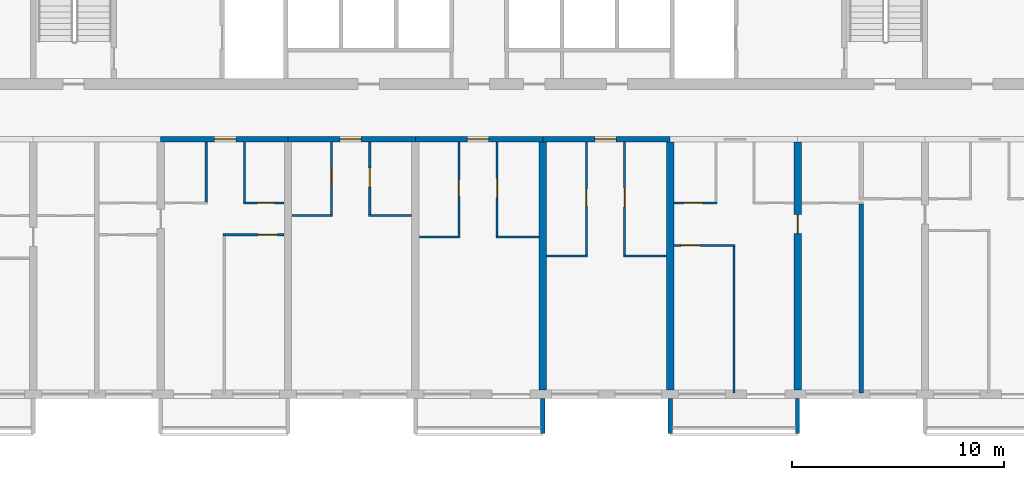
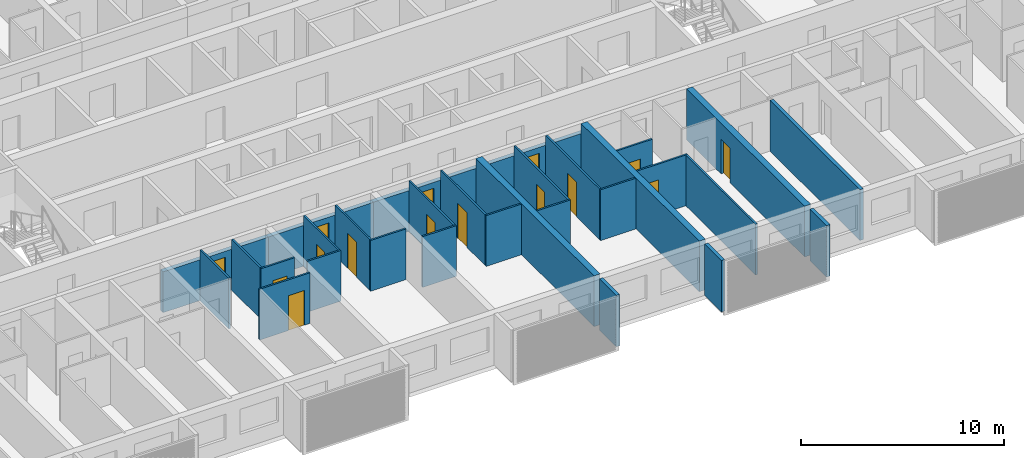
# One storey, part 5 of 31: 30 walls, 15 doors, 15 openings.
"""IFC4 building model written with IfcOpenShell, lengths in metres."""

from ifc_helpers import new_model, si_unit, direction, frame, frame_2d, origin, place, context, subcontext, project, spatial, polyline, rectangle, outline, extrude, source, transform, mapped, material, layer, layer_set, type_object, element, fill, save


model = new_model("IFC4")

# Units and contexts
model_context = context("Model", 3, precision=1e-05, world=origin(), true_north=direction((0.0, 1.0)))
body_context = subcontext(model_context, "Body", "Model", "MODEL_VIEW")
ifc_project = project(units=[si_unit("LENGTHUNIT", "METRE"), si_unit("AREAUNIT", "SQUARE_METRE"), si_unit("VOLUMEUNIT", "CUBIC_METRE"), si_unit("PLANEANGLEUNIT", "RADIAN"), si_unit("MASSUNIT", "GRAM", prefix="KILO")], contexts=[model_context])

# Site, building, storey
site_placement = place(None, origin())
site = spatial("IfcSite", under=ifc_project, at=site_placement, CompositionType="ELEMENT")
building_placement = place(site_placement, origin())
building = spatial("IfcBuilding", under=site, at=building_placement, Name="Poui Terraces", CompositionType="ELEMENT")
storey_placement = place(building_placement, frame((0.0, 0.0, 82.800048828125)))
storey = spatial("IfcBuildingStorey", under=building, at=storey_placement, Name="L22", CompositionType="ELEMENT", Elevation=82.800048828125)

# Wall, opening, door
ifc_material_1 = material(Name="Concrete 65 MPa", Category="concrete")
ifc_layer_1 = layer(ifc_material_1, 0.25)
ifc_layer_set_1 = layer_set([ifc_layer_1], Name="Concrete 65 MPa")
wall_type_1 = type_object("IfcWallType", Name="CORRIDOR WALL 250 65MPa", PredefinedType="SHEAR", material=ifc_layer_set_1)
wall_1_placement = place(storey_placement, frame((36.0, 12.0, 0.0), z_axis=(0.0, 0.0, 1.0), x_axis=(1.0, 0.0, 0.0)))
wall_1 = element("IfcWall", 1, at=wall_1_placement, inside=storey, type_object=wall_type_1, Name="CORRIDOR WALL LINE B BAY 6", PredefinedType="SHEAR", context=body_context, shape_type="SweptSolid", body=[
    extrude(rectangle(XDim=6.0, YDim=0.25, at=frame_2d((3.0, 0.0))), origin(), (0.0, 0.0, 1.0), 2.4599609375),
])
opening_1_placement = place(wall_1_placement, frame((2.550048828125, 0.0, 0.0)))
opening_1 = element("IfcOpeningElement", 2, at=opening_1_placement, cuts=wall_1, Name="Opening FD30S", PredefinedType="OPENING", context=body_context, shape_type="SweptSolid", body=[
    extrude(rectangle(XDim=1.0, YDim=2.10009765625, at=frame_2d((0.5, 1.050048828125))), frame((0.0, 0.135009765625, 0.0), z_axis=(0.0, -1.0, 0.0), x_axis=(1.0, 0.0, 0.0)), (0.0, 0.0, 1.0), 0.27001953125),
])
ifc_material_2 = material(Name="Steel fire door", Category="steel")
door_type_1 = type_object("IfcDoorType", Name="FLAT ENTRANCE DOOR 1000 X 2100", OperationType="NOTDEFINED", PredefinedType="DOOR", material=ifc_material_2)
door_1_placement = place(opening_1_placement, frame((1.0, 0.0, 0.0), z_axis=(0.0, 0.0, 1.0), x_axis=(-1.0, 0.0, 0.0)))
door_1 = element("IfcDoor", 3, at=door_1_placement, inside=storey, type_object=door_type_1, Name="FLAT ENTRANCE DOOR 103", OperationType="SINGLE_SWING_LEFT", OverallHeight=2.10009765625, OverallWidth=1.0, PredefinedType="DOOR", context=body_context, shape_type="SweptSolid", body=[
    extrude(rectangle(XDim=1.0, YDim=2.10009765625, at=frame_2d((0.5, 1.050048828125))), frame((0.0, 0.02490234375, 0.0), z_axis=(0.0, -1.0, 0.0), x_axis=(1.0, 0.0, 0.0)), (0.0, 0.0, 1.0), 0.050048828125),
])
fill(opening_1, door_1)

wall_2_placement = place(storey_placement, frame((42.0, 12.0, 0.0), z_axis=(0.0, 0.0, 1.0), x_axis=(1.0, 0.0, 0.0)))
wall_2 = element("IfcWall", 4, at=wall_2_placement, inside=storey, type_object=wall_type_1, Name="CORRIDOR WALL LINE B BAY 7", PredefinedType="SHEAR", context=body_context, shape_type="SweptSolid", body=[
    extrude(rectangle(XDim=6.0, YDim=0.25, at=frame_2d((3.0, 0.0))), origin(), (0.0, 0.0, 1.0), 2.4599609375),
])
opening_2_placement = place(wall_2_placement, frame((2.449951171875, 0.0, 0.0)))
opening_2 = element("IfcOpeningElement", 5, at=opening_2_placement, cuts=wall_2, Name="Opening FD30S", PredefinedType="OPENING", context=body_context, shape_type="SweptSolid", body=[
    extrude(rectangle(XDim=1.0, YDim=2.10009765625, at=frame_2d((0.5, 1.050048828125))), frame((0.0, 0.135009765625, 0.0), z_axis=(0.0, -1.0, 0.0), x_axis=(1.0, 0.0, 0.0)), (0.0, 0.0, 1.0), 0.27001953125),
])
door_2_placement = place(opening_2_placement, frame((1.0, 0.0, 0.0), z_axis=(0.0, 0.0, 1.0), x_axis=(-1.0, 0.0, 0.0)))
door_2 = element("IfcDoor", 6, at=door_2_placement, inside=storey, type_object=door_type_1, Name="FLAT ENTRANCE DOOR 107", OperationType="SINGLE_SWING_RIGHT", OverallHeight=2.10009765625, OverallWidth=1.0, PredefinedType="DOOR", context=body_context, shape_type="SweptSolid", body=[
    extrude(rectangle(XDim=1.0, YDim=2.10009765625, at=frame_2d((0.5, 1.050048828125))), frame((0.0, 0.02490234375, 0.0), z_axis=(0.0, -1.0, 0.0), x_axis=(1.0, 0.0, 0.0)), (0.0, 0.0, 1.0), 0.050048828125),
])
fill(opening_2, door_2)

wall_3_placement = place(storey_placement, frame((48.0, 12.0, 0.0), z_axis=(0.0, 0.0, 1.0), x_axis=(1.0, 0.0, 0.0)))
wall_3 = element("IfcWall", 7, at=wall_3_placement, inside=storey, type_object=wall_type_1, Name="CORRIDOR WALL LINE B BAY 8", PredefinedType="SHEAR", context=body_context, shape_type="SweptSolid", body=[
    extrude(rectangle(XDim=6.0, YDim=0.25, at=frame_2d((3.0, 0.0))), origin(), (0.0, 0.0, 1.0), 2.4599609375),
])
opening_3_placement = place(wall_3_placement, frame((2.449951171875, 0.0, 0.0)))
opening_3 = element("IfcOpeningElement", 8, at=opening_3_placement, cuts=wall_3, Name="Opening FD30S", PredefinedType="OPENING", context=body_context, shape_type="SweptSolid", body=[
    extrude(rectangle(XDim=1.0, YDim=2.10009765625, at=frame_2d((0.5, 1.050048828125))), frame((0.0, 0.135009765625, 0.0), z_axis=(0.0, -1.0, 0.0), x_axis=(1.0, 0.0, 0.0)), (0.0, 0.0, 1.0), 0.27001953125),
])
door_3_placement = place(opening_3_placement, frame((1.0, 0.0, 0.0), z_axis=(0.0, 0.0, 1.0), x_axis=(-1.0, 0.0, 0.0)))
door_3 = element("IfcDoor", 9, at=door_3_placement, inside=storey, type_object=door_type_1, Name="FLAT ENTRANCE DOOR 110", OperationType="SINGLE_SWING_RIGHT", OverallHeight=2.10009765625, OverallWidth=1.0, PredefinedType="DOOR", context=body_context, shape_type="SweptSolid", body=[
    extrude(rectangle(XDim=1.0, YDim=2.10009765625, at=frame_2d((0.5, 1.050048828125))), frame((0.0, 0.02490234375, 0.0), z_axis=(0.0, -1.0, 0.0), x_axis=(1.0, 0.0, 0.0)), (0.0, 0.0, 1.0), 0.050048828125),
])
fill(opening_3, door_3)

wall_4_placement = place(storey_placement, frame((54.0, 12.0, 0.0), z_axis=(0.0, 0.0, 1.0), x_axis=(1.0, 0.0, 0.0)))
wall_4 = element("IfcWall", 10, at=wall_4_placement, inside=storey, type_object=wall_type_1, Name="CORRIDOR WALL LINE B BAY 9", PredefinedType="SHEAR", context=body_context, shape_type="SweptSolid", body=[
    extrude(rectangle(XDim=6.0, YDim=0.25, at=frame_2d((3.0, 0.0))), origin(), (0.0, 0.0, 1.0), 2.4599609375),
])
opening_4_placement = place(wall_4_placement, frame((2.449951171875, 0.0, 0.0)))
opening_4 = element("IfcOpeningElement", 11, at=opening_4_placement, cuts=wall_4, Name="Opening FD30S", PredefinedType="OPENING", context=body_context, shape_type="SweptSolid", body=[
    extrude(rectangle(XDim=1.0, YDim=2.10009765625, at=frame_2d((0.5, 1.050048828125))), frame((0.0, 0.135009765625, 0.0), z_axis=(0.0, -1.0, 0.0), x_axis=(1.0, 0.0, 0.0)), (0.0, 0.0, 1.0), 0.27001953125),
])
door_4_placement = place(opening_4_placement, frame((1.0, 0.0, 0.0), z_axis=(0.0, 0.0, 1.0), x_axis=(-1.0, 0.0, 0.0)))
door_4 = element("IfcDoor", 12, at=door_4_placement, inside=storey, type_object=door_type_1, Name="FLAT ENTRANCE DOOR 113", OperationType="SINGLE_SWING_RIGHT", OverallHeight=2.10009765625, OverallWidth=1.0, PredefinedType="DOOR", context=body_context, shape_type="SweptSolid", body=[
    extrude(rectangle(XDim=1.0, YDim=2.10009765625, at=frame_2d((0.5, 1.050048828125))), frame((0.0, 0.02490234375, 0.0), z_axis=(0.0, -1.0, 0.0), x_axis=(1.0, 0.0, 0.0)), (0.0, 0.0, 1.0), 0.050048828125),
])
fill(opening_4, door_4)

# Walls
ifc_layer_2 = layer(ifc_material_1, 0.35009765625)
ifc_layer_set_2 = layer_set([ifc_layer_2], Name="Concrete 65 MPa")
wall_type_2 = type_object("IfcWallType", Name="CROSS WALL 350 65MPa", PredefinedType="SHEAR", material=ifc_layer_set_2)
for number, where, z_axis, x_axis, name in (
    (13, (54.0, 0.199951171875, 0.0), (0.0, 0.0, 1.0), (0.0, 1.0, 0.0), "CROSS WALL LINE 10 SOUTH"),
    (14, (60.0, 0.199951171875, 0.0), (0.0, 0.0, 1.0), (0.0, 1.0, 0.0), "CROSS WALL LINE 11 SOUTH"),
):
    element("IfcWall", number, at=place(storey_placement, frame(where, z_axis=z_axis, x_axis=x_axis)), inside=storey, type_object=wall_type_2, Name=name, PredefinedType="SHEAR", context=body_context, shape_type="SweptSolid", body=[
        extrude(rectangle(XDim=11.675048828125, YDim=0.35009765625, at=frame_2d((5.83740234375, 0.0))), origin(), (0.0, 0.0, 1.0), 3.06005859375),
    ])

# Wall, opening, door
wall_5_placement = place(storey_placement, frame((66.0, 0.199951171875, 0.0), z_axis=(0.0, 0.0, 1.0), x_axis=(0.0, 1.0, 0.0)))
wall_5 = element("IfcWall", 15, at=wall_5_placement, inside=storey, type_object=wall_type_2, Name="CROSS WALL LINE 12 SOUTH", PredefinedType="SHEAR", context=body_context, shape_type="SweptSolid", body=[
    extrude(rectangle(XDim=11.675048828125, YDim=0.35009765625, at=frame_2d((5.83740234375, 0.0))), origin(), (0.0, 0.0, 1.0), 3.06005859375),
])
opening_5_placement = place(wall_5_placement, frame((7.35009765625, 0.0, 0.0)))
opening_5 = element("IfcOpeningElement", 16, at=opening_5_placement, cuts=wall_5, Name="Opening D90", PredefinedType="OPENING", context=body_context, shape_type="SweptSolid", body=[
    extrude(rectangle(XDim=0.89990234375, YDim=2.10009765625, at=frame_2d((0.449951171875, 1.050048828125))), frame((0.0, 0.18505859375, 0.0), z_axis=(0.0, -1.0, 0.0), x_axis=(1.0, 0.0, 0.0)), (0.0, 0.0, 1.0), 0.3701171875),
])
ifc_material_3 = material(Name="Solid core timber door", Category="wood")
door_type_2 = type_object("IfcDoorType", Name="INTERNAL DOOR 900 X 2100", OperationType="NOTDEFINED", PredefinedType="DOOR", material=ifc_material_3)
door_5_placement = place(opening_5_placement, frame((0.89990234375, 0.0, 0.0), z_axis=(0.0, 0.0, 1.0), x_axis=(-1.0, 0.0, 0.0)))
door_5 = element("IfcDoor", 17, at=door_5_placement, inside=storey, type_object=door_type_2, Name="INTERNAL DOOR 120", OperationType="SINGLE_SWING_LEFT", OverallHeight=2.10009765625, OverallWidth=0.89990234375, PredefinedType="DOOR", context=body_context, shape_type="SweptSolid", body=[
    extrude(rectangle(XDim=0.89990234375, YDim=2.10009765625, at=frame_2d((0.449951171875, 1.050048828125))), frame((0.0, 0.02490234375, 0.0), z_axis=(0.0, -1.0, 0.0), x_axis=(1.0, 0.0, 0.0)), (0.0, 0.0, 1.0), 0.050048828125),
])
fill(opening_5, door_5)

# Walls
ifc_material_4 = material(Name="Plasterboard partition")
ifc_layer_3 = layer(ifc_material_4, 0.10009765625)
ifc_layer_set_3 = layer_set([ifc_layer_3], Name="Plasterboard partition")
wall_type_3 = type_object("IfcWallType", Name="FLAT PARTITION 100", PredefinedType="PARTITIONING", material=ifc_layer_set_3)
wall_6_placement = place(storey_placement, frame((54.18505859375, 6.5, 0.0), z_axis=(0.0, 0.0, 1.0), x_axis=(1.0, 0.0, 0.0)))
element("IfcWall", 18, at=wall_6_placement, inside=storey, type_object=wall_type_3, Name="FLAT PARTITION 100", PredefinedType="PARTITIONING", context=body_context, shape_type="SweptSolid", body=[
    extrude(rectangle(XDim=1.9150390625, YDim=0.10009765625, at=frame_2d((0.95751953125, 0.0))), origin(), (0.0, 0.0, 1.0), 3.06005859375),
])
wall_7_placement = place(storey_placement, frame((57.800048828125, 6.5, 0.0), z_axis=(0.0, 0.0, 1.0), x_axis=(1.0, 0.0, 0.0)))
element("IfcWall", 19, at=wall_7_placement, inside=storey, type_object=wall_type_3, Name="FLAT PARTITION 100", PredefinedType="PARTITIONING", context=body_context, shape_type="SweptSolid", body=[
    extrude(rectangle(XDim=2.014892578125, YDim=0.10009765625, at=frame_2d((1.00732421875, 0.0))), origin(), (0.0, 0.0, 1.0), 3.06005859375),
])

# Wall, opening, door
wall_8_placement = place(storey_placement, frame((60.18505859375, 7.0, 0.0), z_axis=(0.0, 0.0, 1.0), x_axis=(1.0, 0.0, 0.0)))
wall_8 = element("IfcWall", 20, at=wall_8_placement, inside=storey, type_object=wall_type_3, Name="FLAT PARTITION 100", PredefinedType="PARTITIONING", context=body_context, shape_type="SweptSolid", body=[
    extrude(rectangle(XDim=2.864990234375, YDim=0.10009765625, at=frame_2d((1.4326171875, 0.0))), origin(), (0.0, 0.0, 1.0), 3.06005859375),
])
opening_6_placement = place(wall_8_placement, frame((0.31494140625, 0.0, 0.0)))
opening_6 = element("IfcOpeningElement", 21, at=opening_6_placement, cuts=wall_8, Name="Opening D90", PredefinedType="OPENING", context=body_context, shape_type="SweptSolid", body=[
    extrude(rectangle(XDim=0.89990234375, YDim=2.10009765625, at=frame_2d((0.449951171875, 1.050048828125))), frame((0.0, 0.06005859375, 0.0), z_axis=(0.0, -1.0, 0.0), x_axis=(1.0, 0.0, 0.0)), (0.0, 0.0, 1.0), 0.1201171875),
])
door_6_placement = place(opening_6_placement, origin())
door_6 = element("IfcDoor", 22, at=door_6_placement, inside=storey, type_object=door_type_2, Name="INTERNAL DOOR 116", OperationType="SINGLE_SWING_RIGHT", OverallHeight=2.10009765625, OverallWidth=0.89990234375, PredefinedType="DOOR", context=body_context, shape_type="SweptSolid", body=[
    extrude(rectangle(XDim=0.89990234375, YDim=2.10009765625, at=frame_2d((0.449951171875, 1.050048828125))), frame((0.0, 0.02490234375, 0.0), z_axis=(0.0, -1.0, 0.0), x_axis=(1.0, 0.0, 0.0)), (0.0, 0.0, 1.0), 0.050048828125),
])
fill(opening_6, door_6)

# Walls
wall_9_placement = place(storey_placement, frame((48.18505859375, 7.39990234375, 0.0), z_axis=(0.0, 0.0, 1.0), x_axis=(1.0, 0.0, 0.0)))
element("IfcWall", 23, at=wall_9_placement, inside=storey, type_object=wall_type_3, Name="FLAT PARTITION 100", PredefinedType="PARTITIONING", context=body_context, shape_type="SweptSolid", body=[
    extrude(rectangle(XDim=1.9150390625, YDim=0.10009765625, at=frame_2d((0.95751953125, 0.0))), origin(), (0.0, 0.0, 1.0), 3.06005859375),
])
wall_10_placement = place(storey_placement, frame((51.800048828125, 7.39990234375, 0.0), z_axis=(0.0, 0.0, 1.0), x_axis=(1.0, 0.0, 0.0)))
element("IfcWall", 24, at=wall_10_placement, inside=storey, type_object=wall_type_3, Name="FLAT PARTITION 100", PredefinedType="PARTITIONING", context=body_context, shape_type="SweptSolid", body=[
    extrude(rectangle(XDim=2.014892578125, YDim=0.10009765625, at=frame_2d((1.00732421875, 0.0))), origin(), (0.0, 0.0, 1.0), 3.06005859375),
])

# Wall, opening, door
wall_11_placement = place(storey_placement, frame((38.949951171875, 7.5, 0.0), z_axis=(0.0, 0.0, 1.0), x_axis=(1.0, 0.0, 0.0)))
wall_11 = element("IfcWall", 25, at=wall_11_placement, inside=storey, type_object=wall_type_3, Name="FLAT PARTITION 100", PredefinedType="PARTITIONING", context=body_context, shape_type="SweptSolid", body=[
    extrude(rectangle(XDim=2.864990234375, YDim=0.10009765625, at=frame_2d((1.4326171875, 0.0))), origin(), (0.0, 0.0, 1.0), 3.06005859375),
])
opening_7_placement = place(wall_11_placement, frame((1.64990234375, 0.0, 0.0)))
opening_7 = element("IfcOpeningElement", 26, at=opening_7_placement, cuts=wall_11, Name="Opening D90", PredefinedType="OPENING", context=body_context, shape_type="SweptSolid", body=[
    extrude(rectangle(XDim=0.89990234375, YDim=2.10009765625, at=frame_2d((0.449951171875, 1.050048828125))), frame((0.0, 0.06005859375, 0.0), z_axis=(0.0, -1.0, 0.0), x_axis=(1.0, 0.0, 0.0)), (0.0, 0.0, 1.0), 0.1201171875),
])
door_7_placement = place(opening_7_placement, origin())
door_7 = element("IfcDoor", 27, at=door_7_placement, inside=storey, type_object=door_type_2, Name="INTERNAL DOOR 105", OperationType="SINGLE_SWING_LEFT", OverallHeight=2.10009765625, OverallWidth=0.89990234375, PredefinedType="DOOR", context=body_context, shape_type="SweptSolid", body=[
    extrude(rectangle(XDim=0.89990234375, YDim=2.10009765625, at=frame_2d((0.449951171875, 1.050048828125))), frame((0.0, 0.02490234375, 0.0), z_axis=(0.0, -1.0, 0.0), x_axis=(1.0, 0.0, 0.0)), (0.0, 0.0, 1.0), 0.050048828125),
])
fill(opening_7, door_7)

# Walls
wall_12_placement = place(storey_placement, frame((42.18505859375, 8.39990234375, 0.0), z_axis=(0.0, 0.0, 1.0), x_axis=(1.0, 0.0, 0.0)))
element("IfcWall", 28, at=wall_12_placement, inside=storey, type_object=wall_type_3, Name="FLAT PARTITION 100", PredefinedType="PARTITIONING", context=body_context, shape_type="SweptSolid", body=[
    extrude(rectangle(XDim=1.9150390625, YDim=0.10009765625, at=frame_2d((0.95751953125, 0.0))), origin(), (0.0, 0.0, 1.0), 3.06005859375),
])
wall_13_placement = place(storey_placement, frame((45.800048828125, 8.39990234375, 0.0), z_axis=(0.0, 0.0, 1.0), x_axis=(1.0, 0.0, 0.0)))
element("IfcWall", 29, at=wall_13_placement, inside=storey, type_object=wall_type_3, Name="FLAT PARTITION 100", PredefinedType="PARTITIONING", context=body_context, shape_type="SweptSolid", body=[
    extrude(rectangle(XDim=2.014892578125, YDim=0.10009765625, at=frame_2d((1.00732421875, 0.0))), origin(), (0.0, 0.0, 1.0), 3.06005859375),
])

# Wall, opening, door
wall_14_placement = place(storey_placement, frame((39.89990234375, 9.0, 0.0), z_axis=(0.0, 0.0, 1.0), x_axis=(1.0, 0.0, 0.0)))
wall_14 = element("IfcWall", 30, at=wall_14_placement, inside=storey, type_object=wall_type_3, Name="FLAT PARTITION 100", PredefinedType="PARTITIONING", context=body_context, shape_type="SweptSolid", body=[
    extrude(rectangle(XDim=1.9150390625, YDim=0.10009765625, at=frame_2d((0.95751953125, 0.0))), origin(), (0.0, 0.0, 1.0), 3.06005859375),
])
opening_8_placement = place(wall_14_placement, frame((0.675048828125, 0.0, 0.0)))
opening_8 = element("IfcOpeningElement", 31, at=opening_8_placement, cuts=wall_14, Name="Opening D80", PredefinedType="OPENING", context=body_context, shape_type="SweptSolid", body=[
    extrude(rectangle(XDim=0.800048828125, YDim=2.10009765625, at=frame_2d((0.39990234375, 1.050048828125))), frame((0.0, 0.06005859375, 0.0), z_axis=(0.0, -1.0, 0.0), x_axis=(1.0, 0.0, 0.0)), (0.0, 0.0, 1.0), 0.1201171875),
])
door_type_3 = type_object("IfcDoorType", Name="BATHROOM, LAUNDRY AND STORE DOOR 800 X 2100", OperationType="NOTDEFINED", PredefinedType="DOOR", material=ifc_material_3)
door_8_placement = place(opening_8_placement, origin())
door_8 = element("IfcDoor", 32, at=door_8_placement, inside=storey, type_object=door_type_3, Name="BATHROOM, LAUNDRY AND STORE DOOR 104", OperationType="SINGLE_SWING_RIGHT", OverallHeight=2.10009765625, OverallWidth=0.800048828125, PredefinedType="DOOR", context=body_context, shape_type="SweptSolid", body=[
    extrude(rectangle(XDim=0.800048828125, YDim=2.10009765625, at=frame_2d((0.39990234375, 1.050048828125))), frame((0.0, 0.02490234375, 0.0), z_axis=(0.0, -1.0, 0.0), x_axis=(1.0, 0.0, 0.0)), (0.0, 0.0, 1.0), 0.050048828125),
])
fill(opening_8, door_8)

wall_15_placement = place(storey_placement, frame((60.18505859375, 9.0, 0.0), z_axis=(0.0, 0.0, 1.0), x_axis=(1.0, 0.0, 0.0)))
wall_15 = element("IfcWall", 33, at=wall_15_placement, inside=storey, type_object=wall_type_3, Name="FLAT PARTITION 100", PredefinedType="PARTITIONING", context=body_context, shape_type="SweptSolid", body=[
    extrude(rectangle(XDim=2.014892578125, YDim=0.10009765625, at=frame_2d((1.00732421875, 0.0))), origin(), (0.0, 0.0, 1.0), 3.06005859375),
])
opening_9_placement = place(wall_15_placement, frame((0.43994140625, 0.0, 0.0)))
opening_9 = element("IfcOpeningElement", 34, at=opening_9_placement, cuts=wall_15, Name="Opening D90", PredefinedType="OPENING", context=body_context, shape_type="SweptSolid", body=[
    extrude(rectangle(XDim=0.89990234375, YDim=2.10009765625, at=frame_2d((0.449951171875, 1.050048828125))), frame((0.0, 0.06005859375, 0.0), z_axis=(0.0, -1.0, 0.0), x_axis=(1.0, 0.0, 0.0)), (0.0, 0.0, 1.0), 0.1201171875),
])
door_9_placement = place(opening_9_placement, origin())
door_9 = element("IfcDoor", 35, at=door_9_placement, inside=storey, type_object=door_type_2, Name="INTERNAL DOOR 117", OperationType="SINGLE_SWING_LEFT", OverallHeight=2.10009765625, OverallWidth=0.89990234375, PredefinedType="DOOR", context=body_context, shape_type="SweptSolid", body=[
    extrude(rectangle(XDim=0.89990234375, YDim=2.10009765625, at=frame_2d((0.449951171875, 1.050048828125))), frame((0.0, 0.02490234375, 0.0), z_axis=(0.0, -1.0, 0.0), x_axis=(1.0, 0.0, 0.0)), (0.0, 0.0, 1.0), 0.050048828125),
])
fill(opening_9, door_9)

# Walls
for number, where, z_axis, x_axis, name in (
    (36, (38.14990234375, 9.050048828125, 0.0), (0.0, 0.0, 1.0), (0.0, 1.0, 0.0), "FLAT PARTITION 100"),
    (37, (39.949951171875, 9.050048828125, 0.0), (0.0, 0.0, 1.0), (0.0, 1.0, 0.0), "FLAT PARTITION 100"),
):
    element("IfcWall", number, at=place(storey_placement, frame(where, z_axis=z_axis, x_axis=x_axis)), inside=storey, type_object=wall_type_3, Name=name, PredefinedType="PARTITIONING", context=body_context, shape_type="SweptSolid", body=[
        extrude(rectangle(XDim=2.81494140625, YDim=0.10009765625, at=frame_2d((1.407470703125, 0.0))), origin(), (0.0, 0.0, 1.0), 3.06005859375),
    ])

# Wall, opening, door
wall_16_placement = place(storey_placement, frame((44.050048828125, 8.449951171875, 0.0), z_axis=(0.0, 0.0, 1.0), x_axis=(0.0, 1.0, 0.0)))
wall_16 = element("IfcWall", 38, at=wall_16_placement, inside=storey, type_object=wall_type_3, Name="FLAT PARTITION 100", PredefinedType="PARTITIONING", context=body_context, shape_type="SweptSolid", body=[
    extrude(rectangle(XDim=3.4150390625, YDim=0.10009765625, at=frame_2d((1.70751953125, 0.0))), origin(), (0.0, 0.0, 1.0), 3.06005859375),
])
opening_10_placement = place(wall_16_placement, frame((1.35009765625, 0.0, 0.0)))
opening_10 = element("IfcOpeningElement", 39, at=opening_10_placement, cuts=wall_16, Name="Opening D80", PredefinedType="OPENING", context=body_context, shape_type="SweptSolid", body=[
    extrude(rectangle(XDim=0.800048828125, YDim=2.10009765625, at=frame_2d((0.39990234375, 1.050048828125))), frame((0.0, 0.06005859375, 0.0), z_axis=(0.0, -1.0, 0.0), x_axis=(1.0, 0.0, 0.0)), (0.0, 0.0, 1.0), 0.1201171875),
])
door_10_placement = place(opening_10_placement, origin())
door_10 = element("IfcDoor", 40, at=door_10_placement, inside=storey, type_object=door_type_3, Name="BATHROOM, LAUNDRY AND STORE DOOR 106", OperationType="SINGLE_SWING_LEFT", OverallHeight=2.10009765625, OverallWidth=0.800048828125, PredefinedType="DOOR", context=body_context, shape_type="SweptSolid", body=[
    extrude(rectangle(XDim=0.800048828125, YDim=2.10009765625, at=frame_2d((0.39990234375, 1.050048828125))), frame((0.0, 0.02490234375, 0.0), z_axis=(0.0, -1.0, 0.0), x_axis=(1.0, 0.0, 0.0)), (0.0, 0.0, 1.0), 0.050048828125),
])
fill(opening_10, door_10)

wall_17_placement = place(storey_placement, frame((45.85009765625, 8.449951171875, 0.0), z_axis=(0.0, 0.0, 1.0), x_axis=(0.0, 1.0, 0.0)))
wall_17 = element("IfcWall", 41, at=wall_17_placement, inside=storey, type_object=wall_type_3, Name="FLAT PARTITION 100", PredefinedType="PARTITIONING", context=body_context, shape_type="SweptSolid", body=[
    extrude(rectangle(XDim=3.4150390625, YDim=0.10009765625, at=frame_2d((1.70751953125, 0.0))), origin(), (0.0, 0.0, 1.0), 3.06005859375),
])
opening_11_placement = place(wall_17_placement, frame((1.300048828125, 0.0, 0.0)))
opening_11 = element("IfcOpeningElement", 42, at=opening_11_placement, cuts=wall_17, Name="Opening D90", PredefinedType="OPENING", context=body_context, shape_type="SweptSolid", body=[
    extrude(rectangle(XDim=0.89990234375, YDim=2.10009765625, at=frame_2d((0.449951171875, 1.050048828125))), frame((0.0, 0.06005859375, 0.0), z_axis=(0.0, -1.0, 0.0), x_axis=(1.0, 0.0, 0.0)), (0.0, 0.0, 1.0), 0.1201171875),
])
door_11_placement = place(opening_11_placement, frame((0.89990234375, 0.0, 0.0), z_axis=(0.0, 0.0, 1.0), x_axis=(-1.0, 0.0, 0.0)))
door_11 = element("IfcDoor", 43, at=door_11_placement, inside=storey, type_object=door_type_2, Name="INTERNAL DOOR 108", OperationType="SINGLE_SWING_LEFT", OverallHeight=2.10009765625, OverallWidth=0.89990234375, PredefinedType="DOOR", context=body_context, shape_type="SweptSolid", body=[
    extrude(rectangle(XDim=0.89990234375, YDim=2.10009765625, at=frame_2d((0.449951171875, 1.050048828125))), frame((0.0, 0.02490234375, 0.0), z_axis=(0.0, -1.0, 0.0), x_axis=(1.0, 0.0, 0.0)), (0.0, 0.0, 1.0), 0.050048828125),
])
fill(opening_11, door_11)

wall_18_placement = place(storey_placement, frame((50.050048828125, 7.449951171875, 0.0), z_axis=(0.0, 0.0, 1.0), x_axis=(0.0, 1.0, 0.0)))
wall_18 = element("IfcWall", 44, at=wall_18_placement, inside=storey, type_object=wall_type_3, Name="FLAT PARTITION 100", PredefinedType="PARTITIONING", context=body_context, shape_type="SweptSolid", body=[
    extrude(rectangle(XDim=4.4150390625, YDim=0.10009765625, at=frame_2d((2.20751953125, 0.0))), origin(), (0.0, 0.0, 1.0), 3.06005859375),
])
opening_12_placement = place(wall_18_placement, frame((1.85009765625, 0.0, 0.0)))
opening_12 = element("IfcOpeningElement", 45, at=opening_12_placement, cuts=wall_18, Name="Opening D80", PredefinedType="OPENING", context=body_context, shape_type="SweptSolid", body=[
    extrude(rectangle(XDim=0.800048828125, YDim=2.10009765625, at=frame_2d((0.39990234375, 1.050048828125))), frame((0.0, 0.06005859375, 0.0), z_axis=(0.0, -1.0, 0.0), x_axis=(1.0, 0.0, 0.0)), (0.0, 0.0, 1.0), 0.1201171875),
])
door_12_placement = place(opening_12_placement, origin())
door_12 = element("IfcDoor", 46, at=door_12_placement, inside=storey, type_object=door_type_3, Name="BATHROOM, LAUNDRY AND STORE DOOR 109", OperationType="SINGLE_SWING_RIGHT", OverallHeight=2.10009765625, OverallWidth=0.800048828125, PredefinedType="DOOR", context=body_context, shape_type="SweptSolid", body=[
    extrude(rectangle(XDim=0.800048828125, YDim=2.10009765625, at=frame_2d((0.39990234375, 1.050048828125))), frame((0.0, 0.02490234375, 0.0), z_axis=(0.0, -1.0, 0.0), x_axis=(1.0, 0.0, 0.0)), (0.0, 0.0, 1.0), 0.050048828125),
])
fill(opening_12, door_12)

wall_19_placement = place(storey_placement, frame((51.85009765625, 7.449951171875, 0.0), z_axis=(0.0, 0.0, 1.0), x_axis=(0.0, 1.0, 0.0)))
wall_19 = element("IfcWall", 47, at=wall_19_placement, inside=storey, type_object=wall_type_3, Name="FLAT PARTITION 100", PredefinedType="PARTITIONING", context=body_context, shape_type="SweptSolid", body=[
    extrude(rectangle(XDim=4.4150390625, YDim=0.10009765625, at=frame_2d((2.20751953125, 0.0))), origin(), (0.0, 0.0, 1.0), 3.06005859375),
])
opening_13_placement = place(wall_19_placement, frame((1.800048828125, 0.0, 0.0)))
opening_13 = element("IfcOpeningElement", 48, at=opening_13_placement, cuts=wall_19, Name="Opening D90", PredefinedType="OPENING", context=body_context, shape_type="SweptSolid", body=[
    extrude(rectangle(XDim=0.89990234375, YDim=2.10009765625, at=frame_2d((0.449951171875, 1.050048828125))), frame((0.0, 0.06005859375, 0.0), z_axis=(0.0, -1.0, 0.0), x_axis=(1.0, 0.0, 0.0)), (0.0, 0.0, 1.0), 0.1201171875),
])
door_13_placement = place(opening_13_placement, frame((0.89990234375, 0.0, 0.0), z_axis=(0.0, 0.0, 1.0), x_axis=(-1.0, 0.0, 0.0)))
door_13 = element("IfcDoor", 49, at=door_13_placement, inside=storey, type_object=door_type_2, Name="INTERNAL DOOR 111", OperationType="SINGLE_SWING_RIGHT", OverallHeight=2.10009765625, OverallWidth=0.89990234375, PredefinedType="DOOR", context=body_context, shape_type="SweptSolid", body=[
    extrude(rectangle(XDim=0.89990234375, YDim=2.10009765625, at=frame_2d((0.449951171875, 1.050048828125))), frame((0.0, 0.02490234375, 0.0), z_axis=(0.0, -1.0, 0.0), x_axis=(1.0, 0.0, 0.0)), (0.0, 0.0, 1.0), 0.050048828125),
])
fill(opening_13, door_13)

wall_20_placement = place(storey_placement, frame((56.050048828125, 6.550048828125, 0.0), z_axis=(0.0, 0.0, 1.0), x_axis=(0.0, 1.0, 0.0)))
wall_20 = element("IfcWall", 50, at=wall_20_placement, inside=storey, type_object=wall_type_3, Name="FLAT PARTITION 100", PredefinedType="PARTITIONING", context=body_context, shape_type="SweptSolid", body=[
    extrude(rectangle(XDim=5.31494140625, YDim=0.10009765625, at=frame_2d((2.657470703125, 0.0))), origin(), (0.0, 0.0, 1.0), 3.06005859375),
])
opening_14_placement = place(wall_20_placement, frame((2.300048828125, 0.0, 0.0)))
opening_14 = element("IfcOpeningElement", 51, at=opening_14_placement, cuts=wall_20, Name="Opening D80", PredefinedType="OPENING", context=body_context, shape_type="SweptSolid", body=[
    extrude(rectangle(XDim=0.800048828125, YDim=2.10009765625, at=frame_2d((0.39990234375, 1.050048828125))), frame((0.0, 0.06005859375, 0.0), z_axis=(0.0, -1.0, 0.0), x_axis=(1.0, 0.0, 0.0)), (0.0, 0.0, 1.0), 0.1201171875),
])
door_14_placement = place(opening_14_placement, origin())
door_14 = element("IfcDoor", 52, at=door_14_placement, inside=storey, type_object=door_type_3, Name="BATHROOM, LAUNDRY AND STORE DOOR 112", OperationType="SINGLE_SWING_LEFT", OverallHeight=2.10009765625, OverallWidth=0.800048828125, PredefinedType="DOOR", context=body_context, shape_type="SweptSolid", body=[
    extrude(rectangle(XDim=0.800048828125, YDim=2.10009765625, at=frame_2d((0.39990234375, 1.050048828125))), frame((0.0, 0.02490234375, 0.0), z_axis=(0.0, -1.0, 0.0), x_axis=(1.0, 0.0, 0.0)), (0.0, 0.0, 1.0), 0.050048828125),
])
fill(opening_14, door_14)

wall_21_placement = place(storey_placement, frame((57.85009765625, 6.550048828125, 0.0), z_axis=(0.0, 0.0, 1.0), x_axis=(0.0, 1.0, 0.0)))
wall_21 = element("IfcWall", 53, at=wall_21_placement, inside=storey, type_object=wall_type_3, Name="FLAT PARTITION 100", PredefinedType="PARTITIONING", context=body_context, shape_type="SweptSolid", body=[
    extrude(rectangle(XDim=5.31494140625, YDim=0.10009765625, at=frame_2d((2.657470703125, 0.0))), origin(), (0.0, 0.0, 1.0), 3.06005859375),
])
opening_15_placement = place(wall_21_placement, frame((2.25, 0.0, 0.0)))
opening_15 = element("IfcOpeningElement", 54, at=opening_15_placement, cuts=wall_21, Name="Opening D90", PredefinedType="OPENING", context=body_context, shape_type="SweptSolid", body=[
    extrude(rectangle(XDim=0.89990234375, YDim=2.10009765625, at=frame_2d((0.449951171875, 1.050048828125))), frame((0.0, 0.06005859375, 0.0), z_axis=(0.0, -1.0, 0.0), x_axis=(1.0, 0.0, 0.0)), (0.0, 0.0, 1.0), 0.1201171875),
])
door_15_placement = place(opening_15_placement, frame((0.89990234375, 0.0, 0.0), z_axis=(0.0, 0.0, 1.0), x_axis=(-1.0, 0.0, 0.0)))
door_15 = element("IfcDoor", 55, at=door_15_placement, inside=storey, type_object=door_type_2, Name="INTERNAL DOOR 114", OperationType="SINGLE_SWING_LEFT", OverallHeight=2.10009765625, OverallWidth=0.89990234375, PredefinedType="DOOR", context=body_context, shape_type="SweptSolid", body=[
    extrude(rectangle(XDim=0.89990234375, YDim=2.10009765625, at=frame_2d((0.449951171875, 1.050048828125))), frame((0.0, 0.02490234375, 0.0), z_axis=(0.0, -1.0, 0.0), x_axis=(1.0, 0.0, 0.0)), (0.0, 0.0, 1.0), 0.050048828125),
])
fill(opening_15, door_15)

# Walls
wall_22_placement = place(storey_placement, frame((63.0, 0.06005859375, 0.0), z_axis=(0.0, 0.0, 1.0), x_axis=(0.0, 1.0, 0.0)))
element("IfcWall", 56, at=wall_22_placement, inside=storey, type_object=wall_type_3, Name="FLAT PARTITION 100", PredefinedType="PARTITIONING", context=body_context, shape_type="SweptSolid", body=[
    extrude(rectangle(XDim=6.889892578125, YDim=0.10009765625, at=frame_2d((3.44482421875, 0.0))), origin(), (0.0, 0.0, 1.0), 3.06005859375),
])
ifc_material_5 = material(Name="Fire-rated masonry wall", Category="masonry")
ifc_layer_4 = layer(ifc_material_5, 0.199951171875)
ifc_layer_set_4 = layer_set([ifc_layer_4], Name="Fire-rated masonry wall")
wall_type_4 = type_object("IfcWallType", Name="FLAT PARTY WALL 200", PredefinedType="PARTITIONING", material=ifc_layer_set_4)
wall_23_placement = place(storey_placement, frame((69.0, 0.06005859375, 0.0), z_axis=(0.0, 0.0, 1.0), x_axis=(0.0, 1.0, 0.0)))
element("IfcWall", 57, at=wall_23_placement, inside=storey, type_object=wall_type_4, Name="FLAT PARTY WALL 200", PredefinedType="PARTITIONING", context=body_context, shape_type="SweptSolid", body=[
    extrude(rectangle(XDim=8.889892578125, YDim=0.199951171875, at=frame_2d((4.44482421875, 0.0))), origin(), (0.0, 0.0, 1.0), 3.06005859375),
])
ifc_material_6 = material(Name="Precast concrete 40 MPa", Category="concrete")
ifc_layer_5 = layer(ifc_material_6, 0.199951171875)
ifc_layer_set_5 = layer_set([ifc_layer_5], Name="Precast concrete 40 MPa")
wall_type_5 = type_object("IfcWallType", Name="REAR FIN 200", PredefinedType="STANDARD", material=ifc_layer_set_5)
shared_shape = source(origin(), body_context, "Body", "SweptSolid", [
    extrude(outline(polyline([(0.0, 0.0), (0.2001953125, 0.0), (0.2001953125, 1.650146484375), (0.0, 1.650146484375), (0.0, 0.0)])), origin(), (0.0, 0.0, 1.0), 3.099853515625),
])
for number, where, name in (
    (58, (53.89990234375, -1.85009765625, 0.0), "REAR FIN"),
    (59, (59.89990234375, -1.85009765625, 0.0), "REAR FIN"),
    (60, (65.89990234375, -1.85009765625, 0.0), "REAR FIN"),
):
    element("IfcWall", number, at=place(storey_placement, frame(where)), inside=storey, type_object=wall_type_5, Name=name, PredefinedType="STANDARD", context=body_context, shape_type="MappedRepresentation", body=[
        mapped(shared_shape, transform((0.0, 0.0, 0.0))),
    ])

save(model, "model.ifc")
